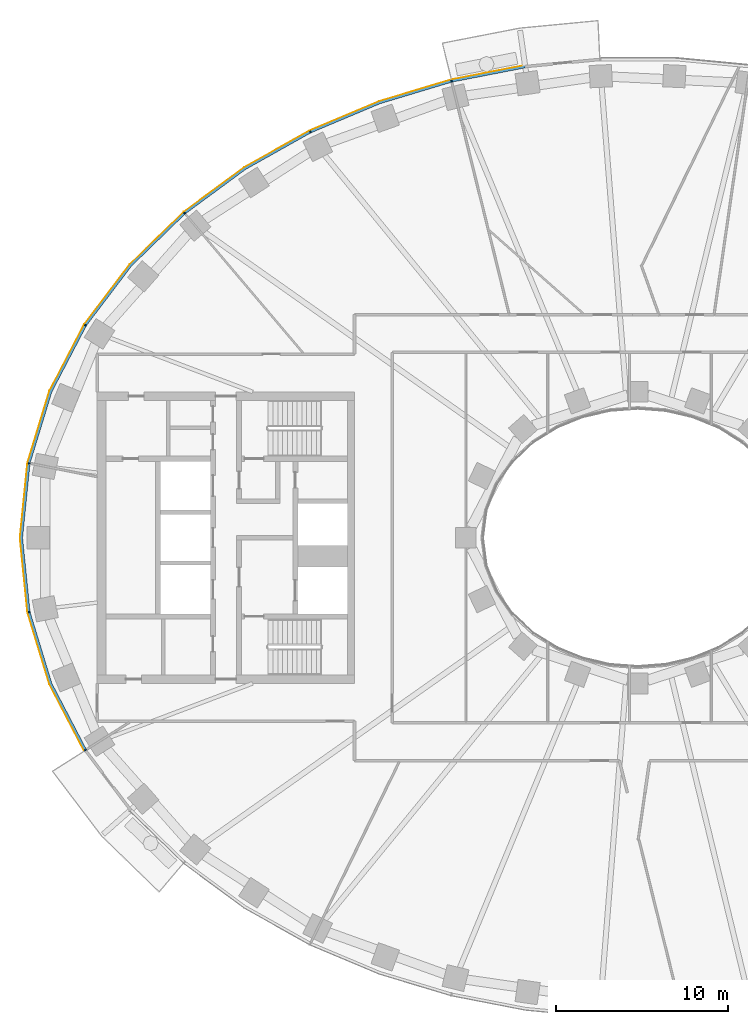
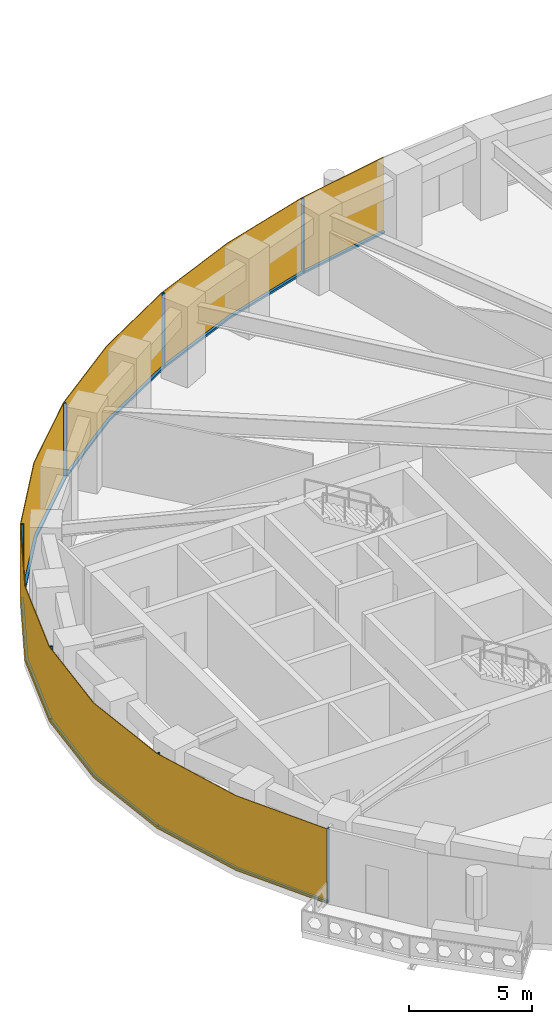
# One storey, part 11 of 16: 14 members, 1 curtain wall.
"""IFC4 building model written with IfcOpenShell, lengths in metres."""

from ifc_helpers import new_model, si_unit, direction, frame, origin, origin_2d, place, context, subcontext, project, spatial, polyline, rectangle, outline, extrude, material, layer, layer_set, material_profile, profile_set, type_object, element, aggregate, save


model = new_model("IFC4")

# Units and contexts
model_context = context("Model", 3, precision=1e-05, world=origin(), true_north=direction((0.0, 1.0)))
body_context = subcontext(model_context, "Body", "Model", "MODEL_VIEW")
ifc_project = project(units=[si_unit("LENGTHUNIT", "METRE"), si_unit("AREAUNIT", "SQUARE_METRE"), si_unit("VOLUMEUNIT", "CUBIC_METRE"), si_unit("PLANEANGLEUNIT", "RADIAN"), si_unit("MASSUNIT", "GRAM", prefix="KILO")], contexts=[model_context])

# Member
ifc_material_1 = material(Name="Aluminium 6063-T6 black anodised", Category="aluminium")
ifc_material_profile = material_profile(ifc_material_1, rectangle(XDim=0.1201171875, YDim=0.06005859375, at=origin_2d()), Name="120x60")
ifc_profile_set = profile_set([ifc_material_profile], Name="Aluminium 6063-T6 black anodised")
member_type_1 = type_object("IfcMemberType", Name="ENV-MULLION-A-120", PredefinedType="MULLION", material=ifc_profile_set)
site_placement = place(None, origin())
building_placement = place(site_placement, origin())
storey_placement = place(building_placement, frame((0.0, 0.0, 108.0)))
member_1_placement = place(storey_placement, frame((-10.84326171875, 26.60498046875, 0.0), z_axis=(0.0, 0.0, 1.0), x_axis=(0.239799081534, -0.970822538106, 0.0)))
member_1 = element("IfcMember", 1, at=member_1_placement, type_object=member_type_1, Name="Mullion A radial 15", PredefinedType="MULLION", context=body_context, shape_type="SweptSolid", body=[
    extrude(rectangle(XDim=0.1201171875, YDim=0.06005859375, at=origin_2d()), origin(), (0.0, 0.0, 1.0), 3.699951171875),
])

member_2_placement = place(storey_placement, frame((-19.06787109375, 23.6474609375, 0.0), z_axis=(0.0, 0.0, 1.0), x_axis=(0.439237769837, -0.898370848563, 0.0)))
member_2 = element("IfcMember", 2, at=member_2_placement, type_object=member_type_1, Name="Mullion A radial 17", PredefinedType="MULLION", context=body_context, shape_type="SweptSolid", body=[
    extrude(rectangle(XDim=0.1201171875, YDim=0.06005859375, at=origin_2d()), origin(), (0.0, 0.0, 1.0), 3.699951171875),
])

member_3_placement = place(storey_placement, frame((-26.403564453125, 18.9130859375, 0.0), z_axis=(0.0, 0.0, 1.0), x_axis=(0.646451313783, -0.762955240435, 0.0)))
member_3 = element("IfcMember", 3, at=member_3_placement, type_object=member_type_1, Name="Mullion A radial 19", PredefinedType="MULLION", context=body_context, shape_type="SweptSolid", body=[
    extrude(rectangle(XDim=0.1201171875, YDim=0.06005859375, at=origin_2d()), origin(), (0.0, 0.0, 1.0), 3.699951171875),
])

member_4_placement = place(storey_placement, frame((-32.177490234375, 12.385498046875, 0.0), z_axis=(0.0, 0.0, 1.0), x_axis=(0.844829880882, -0.53503501976, 0.0)))
member_4 = element("IfcMember", 4, at=member_4_placement, type_object=member_type_1, Name="Mullion A radial 21", PredefinedType="MULLION", context=body_context, shape_type="SweptSolid", body=[
    extrude(rectangle(XDim=0.1201171875, YDim=0.06005859375, at=origin_2d()), origin(), (0.0, 0.0, 1.0), 3.699951171875),
])

member_5_placement = place(storey_placement, frame((-35.470947265625, 4.340576171875, 0.0), z_axis=(0.0, 0.0, 1.0), x_axis=(0.980379083141, -0.19712141776, 0.0)))
member_5 = element("IfcMember", 5, at=member_5_placement, type_object=member_type_1, Name="Mullion A radial 23", PredefinedType="MULLION", context=body_context, shape_type="SweptSolid", body=[
    extrude(rectangle(XDim=0.1201171875, YDim=0.06005859375, at=origin_2d()), origin(), (0.0, 0.0, 1.0), 3.699951171875),
])

member_6_placement = place(storey_placement, frame((-35.470947265625, -4.340576171875, 0.0), z_axis=(0.0, 0.0, 1.0), x_axis=(0.980379083141, 0.19712141776, 0.0)))
member_6 = element("IfcMember", 6, at=member_6_placement, type_object=member_type_1, Name="Mullion A radial 25", PredefinedType="MULLION", context=body_context, shape_type="SweptSolid", body=[
    extrude(rectangle(XDim=0.1201171875, YDim=0.06005859375, at=origin_2d()), origin(), (0.0, 0.0, 1.0), 3.699951171875),
])

member_7_placement = place(storey_placement, frame((-32.177490234375, -12.385498046875, 0.0), z_axis=(0.0, 0.0, 1.0), x_axis=(0.844829880882, 0.53503501976, 0.0)))
member_7 = element("IfcMember", 7, at=member_7_placement, type_object=member_type_1, Name="Mullion A radial 27", PredefinedType="MULLION", context=body_context, shape_type="SweptSolid", body=[
    extrude(rectangle(XDim=0.1201171875, YDim=0.06005859375, at=origin_2d()), origin(), (0.0, 0.0, 1.0), 3.699951171875),
])

ifc_material_2 = material(Name="Aluminium 6063-T6 black anodised", Category="aluminium")
member_type_2 = type_object("IfcMemberType", Name="ENV-TRANSOM-A", PredefinedType="USERDEFINED", material=ifc_material_2)
member_8_placement = place(storey_placement, origin())
member_8 = element("IfcMember", 8, at=member_8_placement, type_object=member_type_2, Name="Transom A radial 14-15", ObjectType="TRANSOM", PredefinedType="USERDEFINED", context=body_context, shape_type="SweptSolid", body=[
    extrude(outline(polyline([(-6.57470703125, 27.49560546875), (-10.830078125, 26.66845703125), (-10.80126953125, 26.552001953125), (-6.5576171875, 27.376708984375), (-6.57470703125, 27.49560546875)])), origin(), (0.0, 0.0, 1.0), 0.10009765625),
])

member_9_placement = place(storey_placement, origin())
member_9 = element("IfcMember", 9, at=member_9_placement, type_object=member_type_2, Name="Transom A radial 15-17", ObjectType="TRANSOM", PredefinedType="USERDEFINED", context=body_context, shape_type="SweptSolid", body=[
    extrude(outline(polyline([(-10.884521484375, 26.655029296875), (-15.054443359375, 25.400146484375), (-19.068359375, 23.71240234375), (-19.015380859375, 23.604248046875), (-15.013916015625, 25.287109375), (-10.855712890625, 26.53857421875), (-10.884521484375, 26.655029296875)])), origin(), (0.0, 0.0, 1.0), 0.10009765625),
])

member_10_placement = place(storey_placement, origin())
member_10 = element("IfcMember", 10, at=member_10_placement, type_object=member_type_2, Name="Transom A radial 17-19", ObjectType="TRANSOM", PredefinedType="USERDEFINED", context=body_context, shape_type="SweptSolid", body=[
    extrude(outline(polyline([(-19.11865234375, 23.687744140625), (-22.9150390625, 21.556884765625), (-26.419921875, 18.975341796875), (-26.342041015625, 18.883544921875), (-22.85009765625, 21.455810546875), (-19.06591796875, 23.57958984375), (-19.11865234375, 23.687744140625)])), origin(), (0.0, 0.0, 1.0), 0.10009765625),
])

member_11_placement = place(storey_placement, origin())
member_11 = element("IfcMember", 11, at=member_11_placement, type_object=member_type_2, Name="Transom A radial 19-21", ObjectType="TRANSOM", PredefinedType="USERDEFINED", context=body_context, shape_type="SweptSolid", body=[
    extrude(outline(polyline([(-26.46240234375, 18.939208984375), (-29.58349609375, 15.906982421875), (-32.211181640625, 12.43994140625), (-32.109375, 12.37548828125), (-29.493408203125, 15.8271484375), (-26.384765625, 18.847412109375), (-26.46240234375, 18.939208984375)])), origin(), (0.0, 0.0, 1.0), 0.10009765625),
])

member_12_placement = place(storey_placement, origin())
member_12 = element("IfcMember", 12, at=member_12_placement, type_object=member_type_2, Name="Transom A radial 21-23", ObjectType="TRANSOM", PredefinedType="USERDEFINED", context=body_context, shape_type="SweptSolid", body=[
    extrude(outline(polyline([(-32.240966796875, 12.392578125), (-34.251220703125, 8.53662109375), (-35.521484375, 4.379150390625), (-35.4033203125, 4.355224609375), (-34.139892578125, 8.490966796875), (-32.139404296875, 12.328369140625), (-32.240966796875, 12.392578125)])), origin(), (0.0, 0.0, 1.0), 0.10009765625),
])

member_13_placement = place(storey_placement, origin())
member_13 = element("IfcMember", 13, at=member_13_placement, type_object=member_type_2, Name="Transom A radial 23-25", ObjectType="TRANSOM", PredefinedType="USERDEFINED", context=body_context, shape_type="SweptSolid", body=[
    extrude(outline(polyline([(-35.532470703125, 4.324462890625), (-35.9677734375, 0.0), (-35.532470703125, -4.324462890625), (-35.414306640625, -4.30078125), (-35.84716796875, 0.0), (-35.414306640625, 4.30078125), (-35.532470703125, 4.324462890625)])), origin(), (0.0, 0.0, 1.0), 0.10009765625),
])

member_14_placement = place(storey_placement, origin())
member_14 = element("IfcMember", 14, at=member_14_placement, type_object=member_type_2, Name="Transom A radial 25-27", ObjectType="TRANSOM", PredefinedType="USERDEFINED", context=body_context, shape_type="SweptSolid", body=[
    extrude(outline(polyline([(-35.521484375, -4.379150390625), (-34.251220703125, -8.53662109375), (-32.240966796875, -12.392578125), (-32.139404296875, -12.328369140625), (-34.139892578125, -8.490966796875), (-35.4033203125, -4.355224609375), (-35.521484375, -4.379150390625)])), origin(), (0.0, 0.0, 1.0), 0.10009765625),
])

# Site, building, storey
site = spatial("IfcSite", under=ifc_project, at=site_placement, CompositionType="ELEMENT")
building = spatial("IfcBuilding", under=site, at=building_placement, Name="Noorbagh Ring Tower", CompositionType="ELEMENT")
storey = spatial("IfcBuildingStorey", under=building, at=storey_placement, Name="L24", CompositionType="ELEMENT", Elevation=108.0)

# Curtain wall
ifc_material_3 = material(Name="Glass dark tinted laminated", Category="glass")
ifc_layer = layer(ifc_material_3, 0.031982421875)
ifc_layer_set = layer_set([ifc_layer], Name="Glass dark tinted laminated")
curtain_wall_type = type_object("IfcCurtainWallType", Name="ENV-CW-A", PredefinedType="NOTDEFINED", material=ifc_layer_set)
curtain_wall_placement = place(storey_placement, origin())
curtain_wall = element("IfcCurtainWall", 15, at=curtain_wall_placement, inside=storey, type_object=curtain_wall_type, Name="Curtain wall A R14", PredefinedType="NOTDEFINED", context=body_context, shape_type="SweptSolid", body=[
    extrude(outline(polyline([(-6.579345703125, 27.52734375), (-10.865234375, 26.6943359375), (-15.065185546875, 25.430419921875), (-19.108154296875, 23.730224609375), (-22.9326171875, 21.583740234375), (-26.463134765625, 18.9833984375), (-29.607666015625, 15.927978515625), (-32.255126953125, 12.434814453125), (-34.281005859375, 8.548828125), (-35.561279296875, 4.358642578125), (-36.0, 0.0), (-35.561279296875, -4.358642578125), (-34.281005859375, -8.548828125), (-32.264404296875, -12.4169921875), (-32.2373046875, -12.39990234375), (-34.251220703125, -8.53662109375), (-35.529541015625, -4.352294921875), (-35.9677734375, 0.0), (-35.529541015625, 4.352294921875), (-34.251220703125, 8.53662109375), (-32.22802734375, 12.41748046875), (-29.58349609375, 15.906982421875), (-26.4423828125, 18.958740234375), (-22.9150390625, 21.556884765625), (-19.093994140625, 23.701416015625), (-15.054443359375, 25.400146484375), (-10.857666015625, 26.6630859375), (-6.57470703125, 27.49560546875), (-6.579345703125, 27.52734375)])), origin(), (0.0, 0.0, 1.0), 3.699951171875),
])

aggregate(curtain_wall, [member_1, member_2, member_3, member_4, member_5, member_6, member_7, member_8, member_9, member_10, member_11, member_12, member_13, member_14])

save(model, "model.ifc")
